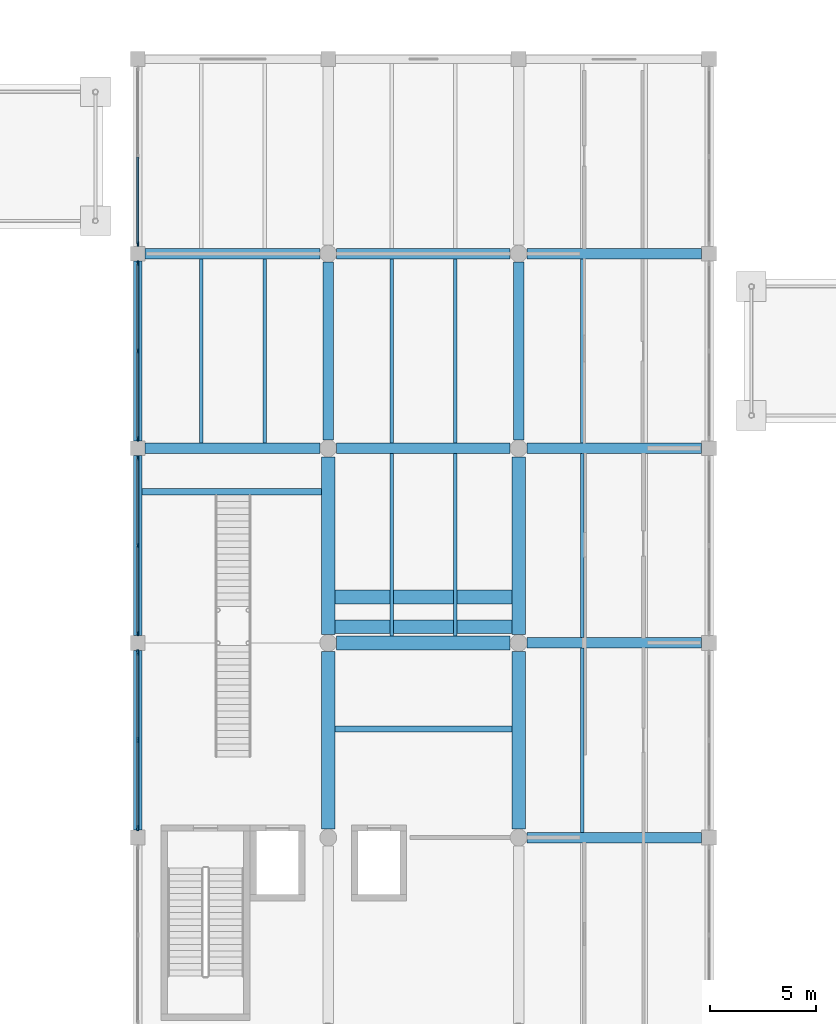
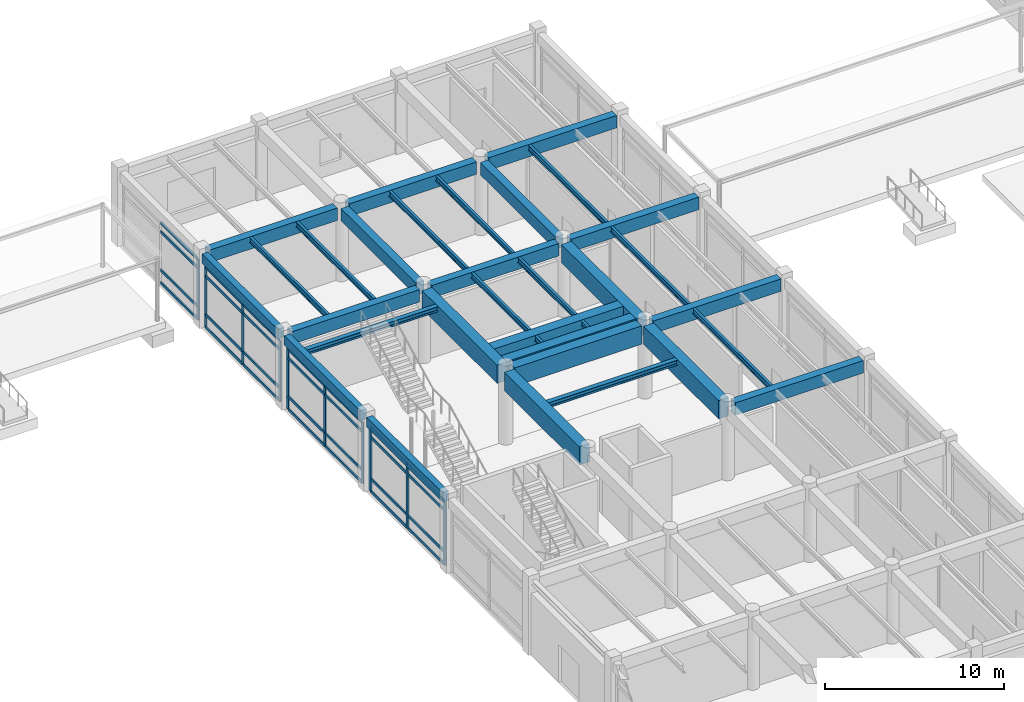
# One storey, part 31 of 76: 38 members, 31 beams, 4 elements without a shape of their own.
"""IFC4 building model written with IfcOpenShell, lengths in metres."""

import ifcopenshell
import ifcopenshell.guid

model = None  # the IFC model being written
_history = None  # IfcOwnerHistory: only IFC2X3 demands one
_inside = {}  # id of a spatial element -> (the spatial element, [elements in it])
_under = {}  # id of a project, library or spatial element -> (it, [spatial elements below it])
_declared = {}  # id of a project -> (the project, [libraries it declares])
_typed = {}  # id of a type object -> (the type object, [elements of that type])
_made_of = {}  # id of a material, layer set ... -> (it, [elements and type objects made of it])


def new_model(schema):
    """Start an empty IFC model of exactly this schema.

    Asked for "IFC4X3", IfcOpenShell would pick the latest addendum, in which some entities
    have other attributes; the version numbers below select the first issue.
    IFC2X3 requires an IfcOwnerHistory on every rooted entity: one is made here for all.
    """
    global model, _history
    if schema == "IFC4X3":
        model = ifcopenshell.file(schema_version=(4, 3, 0, 0))
    else:
        model = ifcopenshell.file(schema=schema)
    _inside.clear()
    _under.clear()
    _declared.clear()
    _typed.clear()
    _made_of.clear()
    _history = None
    if model.schema == "IFC2X3":
        org = make("IfcOrganization", Name="unknown")
        user = make(
            "IfcPersonAndOrganization",
            ThePerson=make("IfcPerson", FamilyName="unknown"),
            TheOrganization=org,
        )
        app = make(
            "IfcApplication",
            ApplicationDeveloper=org,
            Version="unknown",
            ApplicationFullName="unknown",
            ApplicationIdentifier="unknown",
        )
        _history = make(
            "IfcOwnerHistory",
            OwningUser=user,
            OwningApplication=app,
            ChangeAction="ADDED",
            CreationDate=0,
        )
    return model


def make(cls, **values):
    """One entity of the class cls with the attributes given. An attribute that is None is left unset."""
    return model.create_entity(
        cls, **{name: value for name, value in values.items() if value is not None}
    )


def rooted(cls, **values):
    """An entity with a GlobalId (a new one), such as an element, a storey or a relation."""
    return make(cls, GlobalId=ifcopenshell.guid.new(), OwnerHistory=_history, **values)


def si_unit(unit_type, name, prefix=None):
    """IfcSIUnit, for example si_unit("LENGTHUNIT", "METRE", prefix="MILLI")."""
    return make("IfcSIUnit", UnitType=unit_type, Prefix=prefix, Name=name)


def assignment(units):
    """IfcUnitAssignment: the units of a project."""
    return None if units is None else make("IfcUnitAssignment", Units=units)


def point(xyz):
    """IfcCartesianPoint."""
    return None if xyz is None else make("IfcCartesianPoint", Coordinates=xyz)


def direction(xyz):
    """IfcDirection."""
    return None if xyz is None else make("IfcDirection", DirectionRatios=xyz)


def frame(location, z_axis=None, x_axis=None):
    """IfcAxis2Placement3D, a coordinate frame: its origin and axes. An axis left out is left unset."""
    return make(
        "IfcAxis2Placement3D",
        Location=point(location),
        Axis=direction(z_axis),
        RefDirection=direction(x_axis),
    )


def frame_2d(location, x_axis=None):
    """IfcAxis2Placement2D, a coordinate frame in the plane: its origin and x axis."""
    return make(
        "IfcAxis2Placement2D", Location=point(location), RefDirection=direction(x_axis)
    )


def origin():
    """The frame at (0, 0, 0) with its axes left unset."""
    return frame((0.0, 0.0, 0.0))


def origin_2d():
    """The frame at (0, 0) in the plane with its x axis left unset."""
    return frame_2d((0.0, 0.0))


def place(relative_to, where):
    """IfcLocalPlacement: puts the frame where relative to a parent placement (None: the world)."""
    return make(
        "IfcLocalPlacement", PlacementRelTo=relative_to, RelativePlacement=where
    )


def context(
    kind, dimensions, precision=None, world=None, true_north=None, identifier=None
):
    """IfcGeometricRepresentationContext, for example the 3D "Model" context."""
    return make(
        "IfcGeometricRepresentationContext",
        ContextIdentifier=identifier,
        ContextType=kind,
        CoordinateSpaceDimension=dimensions,
        Precision=precision,
        WorldCoordinateSystem=world,
        TrueNorth=true_north,
    )


def subcontext(parent, identifier, kind, view, scale=None):
    """IfcGeometricRepresentationSubContext, for example "Body" below "Model"."""
    return make(
        "IfcGeometricRepresentationSubContext",
        ContextIdentifier=identifier,
        ContextType=kind,
        ParentContext=parent,
        TargetScale=scale,
        TargetView=view,
    )


def project(units=None, contexts=None):
    """IfcProject with its units and contexts."""
    return rooted(
        "IfcProject",
        Name="project",
        RepresentationContexts=contexts,
        UnitsInContext=assignment(units),
    )


def spatial(cls, under=None, at=None, **own):
    """A site, building, storey or space (cls), placed at a placement, below another one or the project."""
    s = rooted(cls, ObjectPlacement=at, **own)
    if under is not None:
        _under.setdefault(under.id(), (under, []))[1].append(s)
    return s


def profile(cls, at=None, kind="AREA", **sizes):
    """A parametric profile (cls). Its sizes go by their IFC names, for example OverallWidth=200.0."""
    return make(cls, ProfileType=kind, Position=at, **sizes)


def rectangle(**sizes):
    """IfcRectangleProfileDef."""
    return profile("IfcRectangleProfileDef", **sizes)


def i_section(**sizes):
    """IfcIShapeProfileDef."""
    return profile("IfcIShapeProfileDef", **sizes)


def extrude(swept, where, along, depth):
    """IfcExtrudedAreaSolid: the profile swept, set in the frame where, extruded along a direction by depth."""
    return make(
        "IfcExtrudedAreaSolid",
        SweptArea=swept,
        Position=where,
        ExtrudedDirection=direction(along),
        Depth=depth,
    )


def shape(context_of_items, identifier, shape_type, items):
    """IfcShapeRepresentation: the items that make up one representation, for example the "Body"."""
    return make(
        "IfcShapeRepresentation",
        ContextOfItems=context_of_items,
        RepresentationIdentifier=identifier,
        RepresentationType=shape_type,
        Items=items,
    )


def material(Name=None, Category=None):
    """IfcMaterial."""
    return make("IfcMaterial", Name=Name, Category=Category)


def material_profile(
    of_material, cross_section, Name=None, Category=None, Priority=None
):
    """IfcMaterialProfile: a cross section and its material."""
    return make(
        "IfcMaterialProfile",
        Name=Name,
        Material=of_material,
        Profile=cross_section,
        Priority=Priority,
        Category=Category,
    )


def profile_set(profiles, Name=None, composite=None):
    """IfcMaterialProfileSet."""
    return make(
        "IfcMaterialProfileSet",
        Name=Name,
        MaterialProfiles=profiles,
        CompositeProfile=composite,
    )


def made_of(thing, what):
    """Note that an element or type object is made of a material, layer set ...; save() writes the relation."""
    if what is not None:
        _made_of.setdefault(what.id(), (what, []))[1].append(thing)
    return thing


def type_object(cls, material=None, **own):
    """A type object (cls), such as IfcWallType, which elements share."""
    return made_of(rooted(cls, **own), material)


def element(
    cls,
    number,
    at=None,
    inside=None,
    cuts=None,
    type_object=None,
    material=None,
    context=None,
    identifier="Body",
    shape_type=None,
    held_by="IfcProductDefinitionShape",
    body=None,
    shapes=None,
    **own,
):
    """One element of the class cls, such as IfcWall. Its Tag is "e" and its number.

    at: its placement. inside: the storey or other place that contains it. cuts: it is an
    opening in that element (IfcRelVoidsElement). A single representation is given by context,
    identifier, shape_type and body (its items); several are given by shapes. held_by: the class
    of the entity that holds the representations. save() writes the other relations.
    """
    e = rooted(cls, Tag="e%d" % number, ObjectPlacement=at, **own)
    if body is not None:
        shapes = [shape(context, identifier, shape_type, body)]
    if shapes is not None:
        e.Representation = make(held_by, Representations=shapes)
    if inside is not None:
        _inside.setdefault(inside.id(), (inside, []))[1].append(e)
    if cuts is not None:
        rooted(
            "IfcRelVoidsElement", RelatingBuildingElement=cuts, RelatedOpeningElement=e
        )
    if type_object is not None:
        _typed.setdefault(type_object.id(), (type_object, []))[1].append(e)
    return made_of(e, material)


def aggregate(whole, parts):
    """IfcRelAggregates: a whole, such as a stair, and the parts it consists of."""
    return rooted("IfcRelAggregates", RelatingObject=whole, RelatedObjects=parts)


def save(model, path):
    """Write the relations noted so far, then the file.

    IfcRelAggregates (storeys below a building ...), IfcRelContainedInSpatialStructure (elements
    in a storey), IfcRelDefinesByType, IfcRelAssociatesMaterial and IfcRelDeclares: one each for
    every whole, place, type object, material and project.
    """
    for whole, parts in _under.values():
        aggregate(whole, parts)
    for where, things in _inside.values():
        rooted(
            "IfcRelContainedInSpatialStructure",
            RelatedElements=things,
            RelatingStructure=where,
        )
    for kind, things in _typed.values():
        rooted("IfcRelDefinesByType", RelatedObjects=things, RelatingType=kind)
    for what, things in _made_of.values():
        rooted("IfcRelAssociatesMaterial", RelatedObjects=things, RelatingMaterial=what)
    for by, libraries in _declared.values():
        rooted("IfcRelDeclares", RelatingContext=by, RelatedDefinitions=libraries)
    model.write(path)


model = new_model("IFC4")

# Units and contexts
model_context = context("Model", 3, precision=1e-05, world=origin(), true_north=direction((0.0, 1.0)))
body_context = subcontext(model_context, "Body", "Model", "MODEL_VIEW")
ifc_project = project(units=[si_unit("LENGTHUNIT", "METRE"), si_unit("AREAUNIT", "SQUARE_METRE"), si_unit("VOLUMEUNIT", "CUBIC_METRE"), si_unit("PLANEANGLEUNIT", "RADIAN"), si_unit("MASSUNIT", "GRAM", prefix="KILO")], contexts=[model_context])

# Site, building, storey
site_placement = place(None, origin())
site = spatial("IfcSite", under=ifc_project, at=site_placement, CompositionType="ELEMENT")
building_placement = place(site_placement, origin())
building = spatial("IfcBuilding", under=site, at=building_placement, Name="Bozkorgan Art Gallery", CompositionType="ELEMENT")
storey_placement = place(building_placement, origin())
storey = spatial("IfcBuildingStorey", under=building, at=storey_placement, Name="L00", CompositionType="ELEMENT", Elevation=0.0)

# Beams
ifc_material_1 = material(Name="Concrete C35/45", Category="concrete")
ifc_material_profile_1 = material_profile(ifc_material_1, rectangle(XDim=0.5, YDim=0.85009765625, at=origin_2d()), Name="RC 500x850")
ifc_profile_set_1 = profile_set([ifc_material_profile_1], Name="Concrete C35/45")
beam_type_1 = type_object("IfcBeamType", Name="BEAM-BM-01", PredefinedType="BEAM", material=ifc_profile_set_1)
for number, where, z_axis, x_axis, name in (
    (1, (92.39990234375, 66.0, 4.635009765625), (1.0, 0.0, 0.0), (0.0, 1.0, 0.0), "V4 L00 beam X (92-101, 66.0)"),
    (2, (92.39990234375, 75.199951171875, 4.635009765625), (1.0, 0.0, 0.0), (0.0, 1.0, 0.0), "V4 L00 beam X (92-101, 75.2)"),
    (3, (74.35009765625, 84.39990234375, 4.635009765625), (1.0, 0.0, 0.0), (0.0, 1.0, 0.0), "V4 L00 beam X (74-83, 84.4)"),
):
    element("IfcBeam", number, at=place(storey_placement, frame(where, z_axis=z_axis, x_axis=x_axis)), inside=storey, type_object=beam_type_1, Name=name, PredefinedType="BEAM", context=body_context, shape_type="SweptSolid", body=[
        extrude(rectangle(XDim=0.5, YDim=0.85009765625, at=origin_2d()), origin(), (0.0, 0.0, 1.0), 8.25),
    ])
beam_1_placement = place(storey_placement, frame((83.39990234375, 84.39990234375, 4.635009765625), z_axis=(1.0, 0.0, 0.0), x_axis=(0.0, 1.0, 0.0)))
element("IfcBeam", 4, at=beam_1_placement, inside=storey, type_object=beam_type_1, Name="V4 L00 beam X (83-92, 84.4)", PredefinedType="BEAM", context=body_context, shape_type="SweptSolid", body=[
    extrude(rectangle(XDim=0.5, YDim=0.85009765625, at=origin_2d()), origin(), (0.0, 0.0, 1.0), 8.2001953125),
])
for number, where, z_axis, x_axis, name in (
    (5, (92.39990234375, 84.39990234375, 4.635009765625), (1.0, 0.0, 0.0), (0.0, 1.0, 0.0), "V4 L00 beam X (92-101, 84.4)"),
    (6, (74.35009765625, 93.60009765625, 4.635009765625), (1.0, 0.0, 0.0), (0.0, 1.0, 0.0), "V4 L00 beam X (74-83, 93.6)"),
):
    element("IfcBeam", number, at=place(storey_placement, frame(where, z_axis=z_axis, x_axis=x_axis)), inside=storey, type_object=beam_type_1, Name=name, PredefinedType="BEAM", context=body_context, shape_type="SweptSolid", body=[
        extrude(rectangle(XDim=0.5, YDim=0.85009765625, at=origin_2d()), origin(), (0.0, 0.0, 1.0), 8.25),
    ])
beam_2_placement = place(storey_placement, frame((83.39990234375, 93.60009765625, 4.635009765625), z_axis=(1.0, 0.0, 0.0), x_axis=(0.0, 1.0, 0.0)))
element("IfcBeam", 7, at=beam_2_placement, inside=storey, type_object=beam_type_1, Name="V4 L00 beam X (83-92, 93.6)", PredefinedType="BEAM", context=body_context, shape_type="SweptSolid", body=[
    extrude(rectangle(XDim=0.5, YDim=0.85009765625, at=origin_2d()), origin(), (0.0, 0.0, 1.0), 8.2001953125),
])
beam_3_placement = place(storey_placement, frame((92.39990234375, 93.60009765625, 4.635009765625), z_axis=(1.0, 0.0, 0.0), x_axis=(0.0, 1.0, 0.0)))
element("IfcBeam", 8, at=beam_3_placement, inside=storey, type_object=beam_type_1, Name="V4 L00 beam X (92-101, 93.6)", PredefinedType="BEAM", context=body_context, shape_type="SweptSolid", body=[
    extrude(rectangle(XDim=0.5, YDim=0.85009765625, at=origin_2d()), origin(), (0.0, 0.0, 1.0), 8.25),
])
for number, where, z_axis, x_axis, name in (
    (9, (83.0, 84.800048828125, 4.635009765625), (0.0, 1.0, 0.0), (-1.0, 0.0, 0.0), "V4 L00 beam Y (83, 84.4-93.6)"),
    (10, (92.0, 84.800048828125, 4.635009765625), (0.0, 1.0, 0.0), (-1.0, 0.0, 0.0), "V4 L00 beam Y (92, 84.4-93.6)"),
):
    element("IfcBeam", number, at=place(storey_placement, frame(where, z_axis=z_axis, x_axis=x_axis)), inside=storey, type_object=beam_type_1, Name=name, PredefinedType="BEAM", context=body_context, shape_type="SweptSolid", body=[
        extrude(rectangle(XDim=0.5, YDim=0.85009765625, at=origin_2d()), origin(), (0.0, 0.0, 1.0), 8.39990234375),
    ])
ifc_material_2 = material(Name="Steel S355J2", Category="steel")
ifc_material_profile_2 = material_profile(ifc_material_2, i_section(OverallWidth=0.169921875, OverallDepth=0.360107421875, WebThickness=0.008056640625, FlangeThickness=0.0126953125, FilletRadius=0.01806640625, at=origin_2d()), Name="IPE 360")
ifc_profile_set_2 = profile_set([ifc_material_profile_2], Name="Steel S355J2")
beam_type_2 = type_object("IfcBeamType", Name="BEAM-JS-98", PredefinedType="JOIST", material=ifc_profile_set_2)
for number, where, z_axis, x_axis, name in (
    (11, (77.0, 84.64990234375, 4.8798828125), (0.0, 1.0, 0.0), (-1.0, 0.0, 0.0), "V4 L00 secondary joist (74-83, 84.4-93.6) #1"),
    (12, (80.0, 84.64990234375, 4.8798828125), (0.0, 1.0, 0.0), (-1.0, 0.0, 0.0), "V4 L00 secondary joist (74-83, 84.4-93.6) #2"),
):
    element("IfcBeam", number, at=place(storey_placement, frame(where, z_axis=z_axis, x_axis=x_axis)), inside=storey, type_object=beam_type_2, Name=name, PredefinedType="JOIST", context=body_context, shape_type="SweptSolid", body=[
        extrude(i_section(OverallWidth=0.169921875, OverallDepth=0.360107421875, WebThickness=0.008056640625, FlangeThickness=0.0126953125, FilletRadius=0.01806640625, at=origin_2d()), origin(), (0.0, 0.0, 1.0), 8.7001953125),
    ])
for number, where, z_axis, x_axis, name in (
    (13, (86.0, 75.52490234375, 4.8798828125), (0.0, 1.0, 0.0), (-1.0, 0.0, 0.0), "V4 L00 secondary joist (83-92, 75.2-84.4) #1"),
    (14, (89.0, 75.52490234375, 4.8798828125), (0.0, 1.0, 0.0), (-1.0, 0.0, 0.0), "V4 L00 secondary joist (83-92, 75.2-84.4) #2"),
):
    element("IfcBeam", number, at=place(storey_placement, frame(where, z_axis=z_axis, x_axis=x_axis)), inside=storey, type_object=beam_type_2, Name=name, PredefinedType="JOIST", context=body_context, shape_type="SweptSolid", body=[
        extrude(i_section(OverallWidth=0.169921875, OverallDepth=0.360107421875, WebThickness=0.008056640625, FlangeThickness=0.0126953125, FilletRadius=0.01806640625, at=origin_2d()), origin(), (0.0, 0.0, 1.0), 8.625),
    ])
for number, where, z_axis, x_axis, name in (
    (15, (86.0, 84.64990234375, 4.8798828125), (0.0, 1.0, 0.0), (-1.0, 0.0, 0.0), "V4 L00 secondary joist (83-92, 84.4-93.6) #1"),
    (16, (89.0, 84.64990234375, 4.8798828125), (0.0, 1.0, 0.0), (-1.0, 0.0, 0.0), "V4 L00 secondary joist (83-92, 84.4-93.6) #2"),
):
    element("IfcBeam", number, at=place(storey_placement, frame(where, z_axis=z_axis, x_axis=x_axis)), inside=storey, type_object=beam_type_2, Name=name, PredefinedType="JOIST", context=body_context, shape_type="SweptSolid", body=[
        extrude(i_section(OverallWidth=0.169921875, OverallDepth=0.360107421875, WebThickness=0.008056640625, FlangeThickness=0.0126953125, FilletRadius=0.01806640625, at=origin_2d()), origin(), (0.0, 0.0, 1.0), 8.7001953125),
    ])
for number, where, z_axis, x_axis, name in (
    (17, (95.0, 66.25, 4.8798828125), (0.0, 1.0, 0.0), (-1.0, 0.0, 0.0), "V4 L00 secondary joist (92-101, 66.0-75.2) #1"),
    (18, (95.0, 75.449951171875, 4.8798828125), (0.0, 1.0, 0.0), (-1.0, 0.0, 0.0), "V4 L00 secondary joist (92-101, 75.2-84.4) #1"),
):
    element("IfcBeam", number, at=place(storey_placement, frame(where, z_axis=z_axis, x_axis=x_axis)), inside=storey, type_object=beam_type_2, Name=name, PredefinedType="JOIST", context=body_context, shape_type="SweptSolid", body=[
        extrude(i_section(OverallWidth=0.169921875, OverallDepth=0.360107421875, WebThickness=0.008056640625, FlangeThickness=0.0126953125, FilletRadius=0.01806640625, at=origin_2d()), origin(), (0.0, 0.0, 1.0), 8.699951171875),
    ])
beam_4_placement = place(storey_placement, frame((95.0, 84.64990234375, 4.8798828125), z_axis=(0.0, 1.0, 0.0), x_axis=(-1.0, 0.0, 0.0)))
element("IfcBeam", 19, at=beam_4_placement, inside=storey, type_object=beam_type_2, Name="V4 L00 secondary joist (92-101, 84.4-93.6) #1", PredefinedType="JOIST", context=body_context, shape_type="SweptSolid", body=[
    extrude(i_section(OverallWidth=0.169921875, OverallDepth=0.360107421875, WebThickness=0.008056640625, FlangeThickness=0.0126953125, FilletRadius=0.01806640625, at=origin_2d()), origin(), (0.0, 0.0, 1.0), 8.7001953125),
])
ifc_material_profile_3 = material_profile(ifc_material_1, rectangle(XDim=0.39990234375, YDim=0.64990234375, at=origin_2d()), Name="RC 400x650")
ifc_profile_set_3 = profile_set([ifc_material_profile_3], Name="Concrete C35/45")
beam_type_3 = type_object("IfcBeamType", Name="BEAM-SP-69", PredefinedType="SPANDREL", material=ifc_profile_set_3)
for number, where, z_axis, x_axis, name in (
    (20, (74.0, 66.35009765625, 4.735107421875), (0.0, 1.0, 0.0), (-1.0, 0.0, 0.0), "V4 L00 spandrel Y (74, 66.0-75.2)"),
    (21, (74.0, 75.550048828125, 4.735107421875), (0.0, 1.0, 0.0), (-1.0, 0.0, 0.0), "V4 L00 spandrel Y (74, 75.2-84.4)"),
    (22, (74.0, 84.75, 4.735107421875), (0.0, 1.0, 0.0), (-1.0, 0.0, 0.0), "V4 L00 spandrel Y (74, 84.4-93.6)"),
):
    element("IfcBeam", number, at=place(storey_placement, frame(where, z_axis=z_axis, x_axis=x_axis)), inside=storey, type_object=beam_type_3, Name=name, PredefinedType="SPANDREL", context=body_context, shape_type="SweptSolid", body=[
        extrude(rectangle(XDim=0.39990234375, YDim=0.64990234375, at=origin_2d()), origin(), (0.0, 0.0, 1.0), 8.5),
    ])
ifc_material_3 = material(Name="Concrete C40/50", Category="concrete")
ifc_material_profile_4 = material_profile(ifc_material_3, rectangle(XDim=0.64990234375, YDim=1.25, at=origin_2d()), Name="RC 650x1250")
ifc_profile_set_4 = profile_set([ifc_material_profile_4], Name="Concrete C40/50")
beam_type_4 = type_object("IfcBeamType", Name="BEAM-TG-51", PredefinedType="BEAM", material=ifc_profile_set_4)
beam_5_placement = place(storey_placement, frame((83.39990234375, 75.199951171875, 4.43505859375), z_axis=(1.0, 0.0, 0.0), x_axis=(0.0, 1.0, 0.0)))
element("IfcBeam", 23, at=beam_5_placement, inside=storey, type_object=beam_type_4, Name="V4 L00 beam X (83-92, 75.2)", PredefinedType="BEAM", context=body_context, shape_type="SweptSolid", body=[
    extrude(rectangle(XDim=0.64990234375, YDim=1.25, at=origin_2d()), origin(), (0.0, 0.0, 1.0), 8.2001953125),
])
beam_6_placement = place(storey_placement, frame((83.0, 66.39990234375, 4.43505859375), z_axis=(0.0, 1.0, 0.0), x_axis=(-1.0, 0.0, 0.0)))
element("IfcBeam", 24, at=beam_6_placement, inside=storey, type_object=beam_type_4, Name="V4 L00 beam Y (83, 66.0-75.2)", PredefinedType="BEAM", context=body_context, shape_type="SweptSolid", body=[
    extrude(rectangle(XDim=0.64990234375, YDim=1.25, at=origin_2d()), origin(), (0.0, 0.0, 1.0), 8.400146484375),
])
beam_7_placement = place(storey_placement, frame((83.0, 75.60009765625, 4.43505859375), z_axis=(0.0, 1.0, 0.0), x_axis=(-1.0, 0.0, 0.0)))
element("IfcBeam", 25, at=beam_7_placement, inside=storey, type_object=beam_type_4, Name="V4 L00 beam Y (83, 75.2-84.4)", PredefinedType="BEAM", context=body_context, shape_type="SweptSolid", body=[
    extrude(rectangle(XDim=0.64990234375, YDim=1.25, at=origin_2d()), origin(), (0.0, 0.0, 1.0), 8.39990234375),
])
beam_8_placement = place(storey_placement, frame((92.0, 66.39990234375, 4.43505859375), z_axis=(0.0, 1.0, 0.0), x_axis=(-1.0, 0.0, 0.0)))
element("IfcBeam", 26, at=beam_8_placement, inside=storey, type_object=beam_type_4, Name="V4 L00 beam Y (92, 66.0-75.2)", PredefinedType="BEAM", context=body_context, shape_type="SweptSolid", body=[
    extrude(rectangle(XDim=0.64990234375, YDim=1.25, at=origin_2d()), origin(), (0.0, 0.0, 1.0), 8.400146484375),
])
beam_9_placement = place(storey_placement, frame((92.0, 75.60009765625, 4.43505859375), z_axis=(0.0, 1.0, 0.0), x_axis=(-1.0, 0.0, 0.0)))
element("IfcBeam", 27, at=beam_9_placement, inside=storey, type_object=beam_type_4, Name="V4 L00 beam Y (92, 75.2-84.4)", PredefinedType="BEAM", context=body_context, shape_type="SweptSolid", body=[
    extrude(rectangle(XDim=0.64990234375, YDim=1.25, at=origin_2d()), origin(), (0.0, 0.0, 1.0), 8.39990234375),
])
ifc_material_profile_5 = material_profile(ifc_material_2, i_section(OverallWidth=0.300048828125, OverallDepth=0.35009765625, WebThickness=0.010009765625, FlangeThickness=0.017578125, FilletRadius=0.027099609375, at=origin_2d()), Name="HEA 360")
ifc_profile_set_5 = profile_set([ifc_material_profile_5], Name="Steel S355J2")
beam_type_5 = type_object("IfcBeamType", Name="BM-ATR-TRIM", PredefinedType="BEAM", material=ifc_profile_set_5)
beam_10_placement = place(storey_placement, frame((74.199951171875, 82.35009765625, 4.885009765625), z_axis=(1.0, 0.0, 0.0), x_axis=(0.0, 1.0, 0.0)))
element("IfcBeam", 28, at=beam_10_placement, inside=storey, type_object=beam_type_5, Name="ST9 upper arrival trimmer beam", PredefinedType="BEAM", context=body_context, shape_type="SweptSolid", body=[
    extrude(i_section(OverallWidth=0.300048828125, OverallDepth=0.35009765625, WebThickness=0.010009765625, FlangeThickness=0.017578125, FilletRadius=0.027099609375, at=origin_2d()), origin(), (0.0, 0.0, 1.0), 8.47509765625),
])
beam_11_placement = place(storey_placement, frame((83.324951171875, 71.1298828125, 4.885009765625), z_axis=(1.0, 0.0, 0.0), x_axis=(0.0, 1.0, 0.0)))
element("IfcBeam", 29, at=beam_11_placement, inside=storey, type_object=beam_type_5, Name="ST10 lower flight trimmer beam", PredefinedType="BEAM", context=body_context, shape_type="SweptSolid", body=[
    extrude(i_section(OverallWidth=0.300048828125, OverallDepth=0.35009765625, WebThickness=0.010009765625, FlangeThickness=0.017578125, FilletRadius=0.027099609375, at=origin_2d()), origin(), (0.0, 0.0, 1.0), 8.35009765625),
])
ifc_material_profile_6 = material_profile(ifc_material_3, rectangle(XDim=0.64990234375, YDim=1.25, at=origin_2d()), Name="RC 650x1250")
ifc_profile_set_6 = profile_set([ifc_material_profile_6], Name="Concrete C40/50")
beam_type_6 = type_object("IfcBeamType", Name="BM-FST-XFER", PredefinedType="BEAM", material=ifc_profile_set_6)
for number, where, z_axis, x_axis, name in (
    (30, (83.324951171875, 75.9599609375, 4.43505859375), (1.0, 0.0, 0.0), (0.0, 1.0, 0.0), "ST10 south landing transfer girder"),
    (31, (83.324951171875, 77.3701171875, 4.43505859375), (1.0, 0.0, 0.0), (0.0, 1.0, 0.0), "ST10 north landing transfer girder"),
):
    element("IfcBeam", number, at=place(storey_placement, frame(where, z_axis=z_axis, x_axis=x_axis)), inside=storey, type_object=beam_type_6, Name=name, PredefinedType="BEAM", context=body_context, shape_type="SweptSolid", body=[
        extrude(rectangle(XDim=0.64990234375, YDim=1.25, at=origin_2d()), origin(), (0.0, 0.0, 1.0), 8.35009765625),
    ])

# Curtain wall, members
ifc_material_4 = material(Name="Anodised Bronze Aluminium", Category="aluminium")
curtain_wall_type_1 = type_object("IfcCurtainWallType", Name="CW-CW-87", PredefinedType="NOTDEFINED", material=ifc_material_4)
curtain_wall_1_placement = place(storey_placement, origin())
curtain_wall_1 = element("IfcCurtainWall", 32, at=curtain_wall_1_placement, inside=storey, type_object=curtain_wall_type_1, Name="L00 unitised curtain wall CW-V4-L00-1W-15", PredefinedType="NOTDEFINED")
ifc_material_profile_7 = material_profile(ifc_material_4, rectangle(XDim=0.074951171875, YDim=0.219970703125, at=origin_2d()), Name="ALU MULLION 75x220")
ifc_profile_set_7 = profile_set([ifc_material_profile_7], Name="Anodised Bronze Aluminium")
member_type_1 = type_object("IfcMemberType", Name="CWM-02", PredefinedType="MULLION", material=ifc_profile_set_7)
member_1_placement = place(storey_placement, frame((74.0, 75.652587890625, 0.02001953125), z_axis=(0.0, 0.0, 1.0), x_axis=(-1.0, 0.0, 0.0)))
member_1 = element("IfcMember", 33, at=member_1_placement, type_object=member_type_1, Name="CW-87 mullion 1", PredefinedType="MULLION", context=body_context, shape_type="SweptSolid", body=[
    extrude(rectangle(XDim=0.074951171875, YDim=0.219970703125, at=origin_2d()), origin(), (0.0, 0.0, 1.0), 4.175048828125),
])
member_2_placement = place(storey_placement, frame((74.0, 79.800048828125, 0.02001953125), z_axis=(0.0, 0.0, 1.0), x_axis=(-1.0, 0.0, 0.0)))
member_2 = element("IfcMember", 34, at=member_2_placement, type_object=member_type_1, Name="CW-87 mullion 2", PredefinedType="MULLION", context=body_context, shape_type="SweptSolid", body=[
    extrude(rectangle(XDim=0.074951171875, YDim=0.219970703125, at=origin_2d()), origin(), (0.0, 0.0, 1.0), 4.175048828125),
])
member_3_placement = place(storey_placement, frame((74.0, 83.947509765625, 0.02001953125), z_axis=(0.0, 0.0, 1.0), x_axis=(-1.0, 0.0, 0.0)))
member_3 = element("IfcMember", 35, at=member_3_placement, type_object=member_type_1, Name="CW-87 mullion 3", PredefinedType="MULLION", context=body_context, shape_type="SweptSolid", body=[
    extrude(rectangle(XDim=0.074951171875, YDim=0.219970703125, at=origin_2d()), origin(), (0.0, 0.0, 1.0), 4.175048828125),
])

curtain_wall_2_placement = place(storey_placement, origin())
curtain_wall_2 = element("IfcCurtainWall", 36, at=curtain_wall_2_placement, inside=storey, type_object=curtain_wall_type_1, Name="L00 unitised curtain wall CW-V4-L00-1W-17", PredefinedType="NOTDEFINED")
member_4_placement = place(storey_placement, frame((74.0, 84.8525390625, 0.02001953125), z_axis=(0.0, 0.0, 1.0), x_axis=(-1.0, 0.0, 0.0)))
member_4 = element("IfcMember", 37, at=member_4_placement, type_object=member_type_1, Name="CW-87 mullion 1", PredefinedType="MULLION", context=body_context, shape_type="SweptSolid", body=[
    extrude(rectangle(XDim=0.074951171875, YDim=0.219970703125, at=origin_2d()), origin(), (0.0, 0.0, 1.0), 4.175048828125),
])
member_5_placement = place(storey_placement, frame((74.0, 89.0, 0.02001953125), z_axis=(0.0, 0.0, 1.0), x_axis=(-1.0, 0.0, 0.0)))
member_5 = element("IfcMember", 38, at=member_5_placement, type_object=member_type_1, Name="CW-87 mullion 2", PredefinedType="MULLION", context=body_context, shape_type="SweptSolid", body=[
    extrude(rectangle(XDim=0.074951171875, YDim=0.219970703125, at=origin_2d()), origin(), (0.0, 0.0, 1.0), 4.175048828125),
])
member_6_placement = place(storey_placement, frame((74.0, 93.1474609375, 0.02001953125), z_axis=(0.0, 0.0, 1.0), x_axis=(-1.0, 0.0, 0.0)))
member_6 = element("IfcMember", 39, at=member_6_placement, type_object=member_type_1, Name="CW-87 mullion 3", PredefinedType="MULLION", context=body_context, shape_type="SweptSolid", body=[
    extrude(rectangle(XDim=0.074951171875, YDim=0.219970703125, at=origin_2d()), origin(), (0.0, 0.0, 1.0), 4.175048828125),
])

# Curtain wall, member
curtain_wall_3_placement = place(storey_placement, origin())
curtain_wall_3 = element("IfcCurtainWall", 40, at=curtain_wall_3_placement, inside=storey, type_object=curtain_wall_type_1, Name="L00 unitised curtain wall CW-V4-L00-1W-19", PredefinedType="NOTDEFINED")
member_7_placement = place(storey_placement, frame((74.0, 94.052490234375, 0.02001953125), z_axis=(0.0, 0.0, 1.0), x_axis=(-1.0, 0.0, 0.0)))
member_7 = element("IfcMember", 41, at=member_7_placement, type_object=member_type_1, Name="CW-87 mullion 1", PredefinedType="MULLION", context=body_context, shape_type="SweptSolid", body=[
    extrude(rectangle(XDim=0.074951171875, YDim=0.219970703125, at=origin_2d()), origin(), (0.0, 0.0, 1.0), 4.175048828125),
])

# Curtain wall, members
curtain_wall_type_2 = type_object("IfcCurtainWallType", Name="CW-CW-54", PredefinedType="NOTDEFINED", material=ifc_material_4)
curtain_wall_4_placement = place(storey_placement, origin())
curtain_wall_4 = element("IfcCurtainWall", 42, at=curtain_wall_4_placement, inside=storey, type_object=curtain_wall_type_2, Name="L00 unitised curtain wall CW-V4-L00-1W-13", PredefinedType="NOTDEFINED")
ifc_material_profile_8 = material_profile(ifc_material_4, rectangle(XDim=0.080078125, YDim=0.260009765625, at=origin_2d()), Name="ALU MULLION 80x260")
ifc_profile_set_8 = profile_set([ifc_material_profile_8], Name="Anodised Bronze Aluminium")
member_type_2 = type_object("IfcMemberType", Name="CWM-03", PredefinedType="MULLION", material=ifc_profile_set_8)
member_8_placement = place(storey_placement, frame((74.0, 66.455078125, 0.02001953125), z_axis=(0.0, 0.0, 1.0), x_axis=(-1.0, 0.0, 0.0)))
member_8 = element("IfcMember", 43, at=member_8_placement, type_object=member_type_2, Name="CW-54 mullion 1", PredefinedType="MULLION", context=body_context, shape_type="SweptSolid", body=[
    extrude(rectangle(XDim=0.080078125, YDim=0.260009765625, at=origin_2d()), origin(), (0.0, 0.0, 1.0), 4.375),
])
member_9_placement = place(storey_placement, frame((74.0, 70.60009765625, 0.02001953125), z_axis=(0.0, 0.0, 1.0), x_axis=(-1.0, 0.0, 0.0)))
member_9 = element("IfcMember", 44, at=member_9_placement, type_object=member_type_2, Name="CW-54 mullion 2", PredefinedType="MULLION", context=body_context, shape_type="SweptSolid", body=[
    extrude(rectangle(XDim=0.080078125, YDim=0.260009765625, at=origin_2d()), origin(), (0.0, 0.0, 1.0), 4.375),
])
member_10_placement = place(storey_placement, frame((74.0, 74.7451171875, 0.02001953125), z_axis=(0.0, 0.0, 1.0), x_axis=(-1.0, 0.0, 0.0)))
member_10 = element("IfcMember", 45, at=member_10_placement, type_object=member_type_2, Name="CW-54 mullion 3", PredefinedType="MULLION", context=body_context, shape_type="SweptSolid", body=[
    extrude(rectangle(XDim=0.080078125, YDim=0.260009765625, at=origin_2d()), origin(), (0.0, 0.0, 1.0), 4.375),
])
ifc_material_profile_9 = material_profile(ifc_material_4, rectangle(XDim=0.080078125, YDim=0.199951171875, at=origin_2d()), Name="ALU TRANSOM 80x200")
ifc_profile_set_9 = profile_set([ifc_material_profile_9], Name="Anodised Bronze Aluminium")
member_type_3 = type_object("IfcMemberType", Name="CWT-03", PredefinedType="USERDEFINED", material=ifc_profile_set_9)
member_11_placement = place(storey_placement, frame((74.0, 66.4951171875, 0.06005859375), z_axis=(0.0, 1.0, 0.0), x_axis=(-1.0, 0.0, 0.0)))
member_11 = element("IfcMember", 46, at=member_11_placement, type_object=member_type_3, Name="CW-54 transom 1.1", ObjectType="TRANSOM", PredefinedType="USERDEFINED", context=body_context, shape_type="SweptSolid", body=[
    extrude(rectangle(XDim=0.080078125, YDim=0.199951171875, at=origin_2d()), origin(), (0.0, 0.0, 1.0), 4.06494140625),
])
member_12_placement = place(storey_placement, frame((74.0, 66.4951171875, 0.919921875), z_axis=(0.0, 1.0, 0.0), x_axis=(-1.0, 0.0, 0.0)))
member_12 = element("IfcMember", 47, at=member_12_placement, type_object=member_type_3, Name="CW-54 transom 1.2", ObjectType="TRANSOM", PredefinedType="USERDEFINED", context=body_context, shape_type="SweptSolid", body=[
    extrude(rectangle(XDim=0.080078125, YDim=0.199951171875, at=origin_2d()), origin(), (0.0, 0.0, 1.0), 4.06494140625),
])
member_13_placement = place(storey_placement, frame((74.0, 66.4951171875, 3.7451171875), z_axis=(0.0, 1.0, 0.0), x_axis=(-1.0, 0.0, 0.0)))
member_13 = element("IfcMember", 48, at=member_13_placement, type_object=member_type_3, Name="CW-54 transom 1.3", ObjectType="TRANSOM", PredefinedType="USERDEFINED", context=body_context, shape_type="SweptSolid", body=[
    extrude(rectangle(XDim=0.080078125, YDim=0.199951171875, at=origin_2d()), origin(), (0.0, 0.0, 1.0), 4.06494140625),
])
member_14_placement = place(storey_placement, frame((74.0, 66.4951171875, 4.35498046875), z_axis=(0.0, 1.0, 0.0), x_axis=(-1.0, 0.0, 0.0)))
member_14 = element("IfcMember", 49, at=member_14_placement, type_object=member_type_3, Name="CW-54 transom 1.4", ObjectType="TRANSOM", PredefinedType="USERDEFINED", context=body_context, shape_type="SweptSolid", body=[
    extrude(rectangle(XDim=0.080078125, YDim=0.199951171875, at=origin_2d()), origin(), (0.0, 0.0, 1.0), 4.06494140625),
])
member_15_placement = place(storey_placement, frame((74.0, 70.639892578125, 0.06005859375), z_axis=(0.0, 1.0, 0.0), x_axis=(-1.0, 0.0, 0.0)))
member_15 = element("IfcMember", 50, at=member_15_placement, type_object=member_type_3, Name="CW-54 transom 2.1", ObjectType="TRANSOM", PredefinedType="USERDEFINED", context=body_context, shape_type="SweptSolid", body=[
    extrude(rectangle(XDim=0.080078125, YDim=0.199951171875, at=origin_2d()), origin(), (0.0, 0.0, 1.0), 4.065185546875),
])
member_16_placement = place(storey_placement, frame((74.0, 70.639892578125, 0.919921875), z_axis=(0.0, 1.0, 0.0), x_axis=(-1.0, 0.0, 0.0)))
member_16 = element("IfcMember", 51, at=member_16_placement, type_object=member_type_3, Name="CW-54 transom 2.2", ObjectType="TRANSOM", PredefinedType="USERDEFINED", context=body_context, shape_type="SweptSolid", body=[
    extrude(rectangle(XDim=0.080078125, YDim=0.199951171875, at=origin_2d()), origin(), (0.0, 0.0, 1.0), 4.065185546875),
])
member_17_placement = place(storey_placement, frame((74.0, 70.639892578125, 3.7451171875), z_axis=(0.0, 1.0, 0.0), x_axis=(-1.0, 0.0, 0.0)))
member_17 = element("IfcMember", 52, at=member_17_placement, type_object=member_type_3, Name="CW-54 transom 2.3", ObjectType="TRANSOM", PredefinedType="USERDEFINED", context=body_context, shape_type="SweptSolid", body=[
    extrude(rectangle(XDim=0.080078125, YDim=0.199951171875, at=origin_2d()), origin(), (0.0, 0.0, 1.0), 4.065185546875),
])
member_18_placement = place(storey_placement, frame((74.0, 70.639892578125, 4.35498046875), z_axis=(0.0, 1.0, 0.0), x_axis=(-1.0, 0.0, 0.0)))
member_18 = element("IfcMember", 53, at=member_18_placement, type_object=member_type_3, Name="CW-54 transom 2.4", ObjectType="TRANSOM", PredefinedType="USERDEFINED", context=body_context, shape_type="SweptSolid", body=[
    extrude(rectangle(XDim=0.080078125, YDim=0.199951171875, at=origin_2d()), origin(), (0.0, 0.0, 1.0), 4.065185546875),
])
aggregate(curtain_wall_4, [member_8, member_9, member_10, member_11, member_12, member_13, member_14, member_15, member_16, member_17, member_18])

# Member
member_19_placement = place(storey_placement, frame((74.0, 75.68994140625, 0.06005859375), z_axis=(0.0, 1.0, 0.0), x_axis=(-1.0, 0.0, 0.0)))
member_19 = element("IfcMember", 54, at=member_19_placement, type_object=member_type_3, Name="CW-87 transom 1.1", ObjectType="TRANSOM", PredefinedType="USERDEFINED", context=body_context, shape_type="SweptSolid", body=[
    extrude(rectangle(XDim=0.080078125, YDim=0.199951171875, at=origin_2d()), origin(), (0.0, 0.0, 1.0), 4.072509765625),
])

member_20_placement = place(storey_placement, frame((74.0, 75.68994140625, 0.919921875), z_axis=(0.0, 1.0, 0.0), x_axis=(-1.0, 0.0, 0.0)))
member_20 = element("IfcMember", 55, at=member_20_placement, type_object=member_type_3, Name="CW-87 transom 1.2", ObjectType="TRANSOM", PredefinedType="USERDEFINED", context=body_context, shape_type="SweptSolid", body=[
    extrude(rectangle(XDim=0.080078125, YDim=0.199951171875, at=origin_2d()), origin(), (0.0, 0.0, 1.0), 4.072509765625),
])

member_21_placement = place(storey_placement, frame((74.0, 75.68994140625, 3.544921875), z_axis=(0.0, 1.0, 0.0), x_axis=(-1.0, 0.0, 0.0)))
member_21 = element("IfcMember", 56, at=member_21_placement, type_object=member_type_3, Name="CW-87 transom 1.3", ObjectType="TRANSOM", PredefinedType="USERDEFINED", context=body_context, shape_type="SweptSolid", body=[
    extrude(rectangle(XDim=0.080078125, YDim=0.199951171875, at=origin_2d()), origin(), (0.0, 0.0, 1.0), 4.072509765625),
])

member_22_placement = place(storey_placement, frame((74.0, 75.68994140625, 4.155029296875), z_axis=(0.0, 1.0, 0.0), x_axis=(-1.0, 0.0, 0.0)))
member_22 = element("IfcMember", 57, at=member_22_placement, type_object=member_type_3, Name="CW-87 transom 1.4", ObjectType="TRANSOM", PredefinedType="USERDEFINED", context=body_context, shape_type="SweptSolid", body=[
    extrude(rectangle(XDim=0.080078125, YDim=0.199951171875, at=origin_2d()), origin(), (0.0, 0.0, 1.0), 4.072509765625),
])

member_23_placement = place(storey_placement, frame((74.0, 79.83740234375, 0.06005859375), z_axis=(0.0, 1.0, 0.0), x_axis=(-1.0, 0.0, 0.0)))
member_23 = element("IfcMember", 58, at=member_23_placement, type_object=member_type_3, Name="CW-87 transom 2.1", ObjectType="TRANSOM", PredefinedType="USERDEFINED", context=body_context, shape_type="SweptSolid", body=[
    extrude(rectangle(XDim=0.080078125, YDim=0.199951171875, at=origin_2d()), origin(), (0.0, 0.0, 1.0), 4.072509765625),
])

member_24_placement = place(storey_placement, frame((74.0, 79.83740234375, 0.919921875), z_axis=(0.0, 1.0, 0.0), x_axis=(-1.0, 0.0, 0.0)))
member_24 = element("IfcMember", 59, at=member_24_placement, type_object=member_type_3, Name="CW-87 transom 2.2", ObjectType="TRANSOM", PredefinedType="USERDEFINED", context=body_context, shape_type="SweptSolid", body=[
    extrude(rectangle(XDim=0.080078125, YDim=0.199951171875, at=origin_2d()), origin(), (0.0, 0.0, 1.0), 4.072509765625),
])

member_25_placement = place(storey_placement, frame((74.0, 79.83740234375, 3.544921875), z_axis=(0.0, 1.0, 0.0), x_axis=(-1.0, 0.0, 0.0)))
member_25 = element("IfcMember", 60, at=member_25_placement, type_object=member_type_3, Name="CW-87 transom 2.3", ObjectType="TRANSOM", PredefinedType="USERDEFINED", context=body_context, shape_type="SweptSolid", body=[
    extrude(rectangle(XDim=0.080078125, YDim=0.199951171875, at=origin_2d()), origin(), (0.0, 0.0, 1.0), 4.072509765625),
])

member_26_placement = place(storey_placement, frame((74.0, 79.83740234375, 4.155029296875), z_axis=(0.0, 1.0, 0.0), x_axis=(-1.0, 0.0, 0.0)))
member_26 = element("IfcMember", 61, at=member_26_placement, type_object=member_type_3, Name="CW-87 transom 2.4", ObjectType="TRANSOM", PredefinedType="USERDEFINED", context=body_context, shape_type="SweptSolid", body=[
    extrude(rectangle(XDim=0.080078125, YDim=0.199951171875, at=origin_2d()), origin(), (0.0, 0.0, 1.0), 4.072509765625),
])

aggregate(curtain_wall_1, [member_1, member_2, member_3, member_19, member_20, member_21, member_22, member_23, member_24, member_25, member_26])

member_27_placement = place(storey_placement, frame((74.0, 84.889892578125, 0.06005859375), z_axis=(0.0, 1.0, 0.0), x_axis=(-1.0, 0.0, 0.0)))
member_27 = element("IfcMember", 62, at=member_27_placement, type_object=member_type_3, Name="CW-87 transom 1.1", ObjectType="TRANSOM", PredefinedType="USERDEFINED", context=body_context, shape_type="SweptSolid", body=[
    extrude(rectangle(XDim=0.080078125, YDim=0.199951171875, at=origin_2d()), origin(), (0.0, 0.0, 1.0), 4.072509765625),
])

member_28_placement = place(storey_placement, frame((74.0, 84.889892578125, 0.919921875), z_axis=(0.0, 1.0, 0.0), x_axis=(-1.0, 0.0, 0.0)))
member_28 = element("IfcMember", 63, at=member_28_placement, type_object=member_type_3, Name="CW-87 transom 1.2", ObjectType="TRANSOM", PredefinedType="USERDEFINED", context=body_context, shape_type="SweptSolid", body=[
    extrude(rectangle(XDim=0.080078125, YDim=0.199951171875, at=origin_2d()), origin(), (0.0, 0.0, 1.0), 4.072509765625),
])

member_29_placement = place(storey_placement, frame((74.0, 84.889892578125, 3.544921875), z_axis=(0.0, 1.0, 0.0), x_axis=(-1.0, 0.0, 0.0)))
member_29 = element("IfcMember", 64, at=member_29_placement, type_object=member_type_3, Name="CW-87 transom 1.3", ObjectType="TRANSOM", PredefinedType="USERDEFINED", context=body_context, shape_type="SweptSolid", body=[
    extrude(rectangle(XDim=0.080078125, YDim=0.199951171875, at=origin_2d()), origin(), (0.0, 0.0, 1.0), 4.072509765625),
])

member_30_placement = place(storey_placement, frame((74.0, 84.889892578125, 4.155029296875), z_axis=(0.0, 1.0, 0.0), x_axis=(-1.0, 0.0, 0.0)))
member_30 = element("IfcMember", 65, at=member_30_placement, type_object=member_type_3, Name="CW-87 transom 1.4", ObjectType="TRANSOM", PredefinedType="USERDEFINED", context=body_context, shape_type="SweptSolid", body=[
    extrude(rectangle(XDim=0.080078125, YDim=0.199951171875, at=origin_2d()), origin(), (0.0, 0.0, 1.0), 4.072509765625),
])

member_31_placement = place(storey_placement, frame((74.0, 89.03759765625, 0.06005859375), z_axis=(0.0, 1.0, 0.0), x_axis=(-1.0, 0.0, 0.0)))
member_31 = element("IfcMember", 66, at=member_31_placement, type_object=member_type_3, Name="CW-87 transom 2.1", ObjectType="TRANSOM", PredefinedType="USERDEFINED", context=body_context, shape_type="SweptSolid", body=[
    extrude(rectangle(XDim=0.080078125, YDim=0.199951171875, at=origin_2d()), origin(), (0.0, 0.0, 1.0), 4.072509765625),
])

member_32_placement = place(storey_placement, frame((74.0, 89.03759765625, 0.919921875), z_axis=(0.0, 1.0, 0.0), x_axis=(-1.0, 0.0, 0.0)))
member_32 = element("IfcMember", 67, at=member_32_placement, type_object=member_type_3, Name="CW-87 transom 2.2", ObjectType="TRANSOM", PredefinedType="USERDEFINED", context=body_context, shape_type="SweptSolid", body=[
    extrude(rectangle(XDim=0.080078125, YDim=0.199951171875, at=origin_2d()), origin(), (0.0, 0.0, 1.0), 4.072509765625),
])

member_33_placement = place(storey_placement, frame((74.0, 89.03759765625, 3.544921875), z_axis=(0.0, 1.0, 0.0), x_axis=(-1.0, 0.0, 0.0)))
member_33 = element("IfcMember", 68, at=member_33_placement, type_object=member_type_3, Name="CW-87 transom 2.3", ObjectType="TRANSOM", PredefinedType="USERDEFINED", context=body_context, shape_type="SweptSolid", body=[
    extrude(rectangle(XDim=0.080078125, YDim=0.199951171875, at=origin_2d()), origin(), (0.0, 0.0, 1.0), 4.072509765625),
])

member_34_placement = place(storey_placement, frame((74.0, 89.03759765625, 4.155029296875), z_axis=(0.0, 1.0, 0.0), x_axis=(-1.0, 0.0, 0.0)))
member_34 = element("IfcMember", 69, at=member_34_placement, type_object=member_type_3, Name="CW-87 transom 2.4", ObjectType="TRANSOM", PredefinedType="USERDEFINED", context=body_context, shape_type="SweptSolid", body=[
    extrude(rectangle(XDim=0.080078125, YDim=0.199951171875, at=origin_2d()), origin(), (0.0, 0.0, 1.0), 4.072509765625),
])

aggregate(curtain_wall_2, [member_4, member_5, member_6, member_27, member_28, member_29, member_30, member_31, member_32, member_33, member_34])

member_35_placement = place(storey_placement, frame((74.0, 94.090087890625, 0.06005859375), z_axis=(0.0, 1.0, 0.0), x_axis=(-1.0, 0.0, 0.0)))
member_35 = element("IfcMember", 70, at=member_35_placement, type_object=member_type_3, Name="CW-87 transom 1.1", ObjectType="TRANSOM", PredefinedType="USERDEFINED", context=body_context, shape_type="SweptSolid", body=[
    extrude(rectangle(XDim=0.080078125, YDim=0.199951171875, at=origin_2d()), origin(), (0.0, 0.0, 1.0), 4.072509765625),
])

member_36_placement = place(storey_placement, frame((74.0, 94.090087890625, 0.919921875), z_axis=(0.0, 1.0, 0.0), x_axis=(-1.0, 0.0, 0.0)))
member_36 = element("IfcMember", 71, at=member_36_placement, type_object=member_type_3, Name="CW-87 transom 1.2", ObjectType="TRANSOM", PredefinedType="USERDEFINED", context=body_context, shape_type="SweptSolid", body=[
    extrude(rectangle(XDim=0.080078125, YDim=0.199951171875, at=origin_2d()), origin(), (0.0, 0.0, 1.0), 4.072509765625),
])

member_37_placement = place(storey_placement, frame((74.0, 94.090087890625, 3.544921875), z_axis=(0.0, 1.0, 0.0), x_axis=(-1.0, 0.0, 0.0)))
member_37 = element("IfcMember", 72, at=member_37_placement, type_object=member_type_3, Name="CW-87 transom 1.3", ObjectType="TRANSOM", PredefinedType="USERDEFINED", context=body_context, shape_type="SweptSolid", body=[
    extrude(rectangle(XDim=0.080078125, YDim=0.199951171875, at=origin_2d()), origin(), (0.0, 0.0, 1.0), 4.072509765625),
])

member_38_placement = place(storey_placement, frame((74.0, 94.090087890625, 4.155029296875), z_axis=(0.0, 1.0, 0.0), x_axis=(-1.0, 0.0, 0.0)))
member_38 = element("IfcMember", 73, at=member_38_placement, type_object=member_type_3, Name="CW-87 transom 1.4", ObjectType="TRANSOM", PredefinedType="USERDEFINED", context=body_context, shape_type="SweptSolid", body=[
    extrude(rectangle(XDim=0.080078125, YDim=0.199951171875, at=origin_2d()), origin(), (0.0, 0.0, 1.0), 4.072509765625),
])

aggregate(curtain_wall_3, [member_7, member_35, member_36, member_37, member_38])

save(model, "model.ifc")
